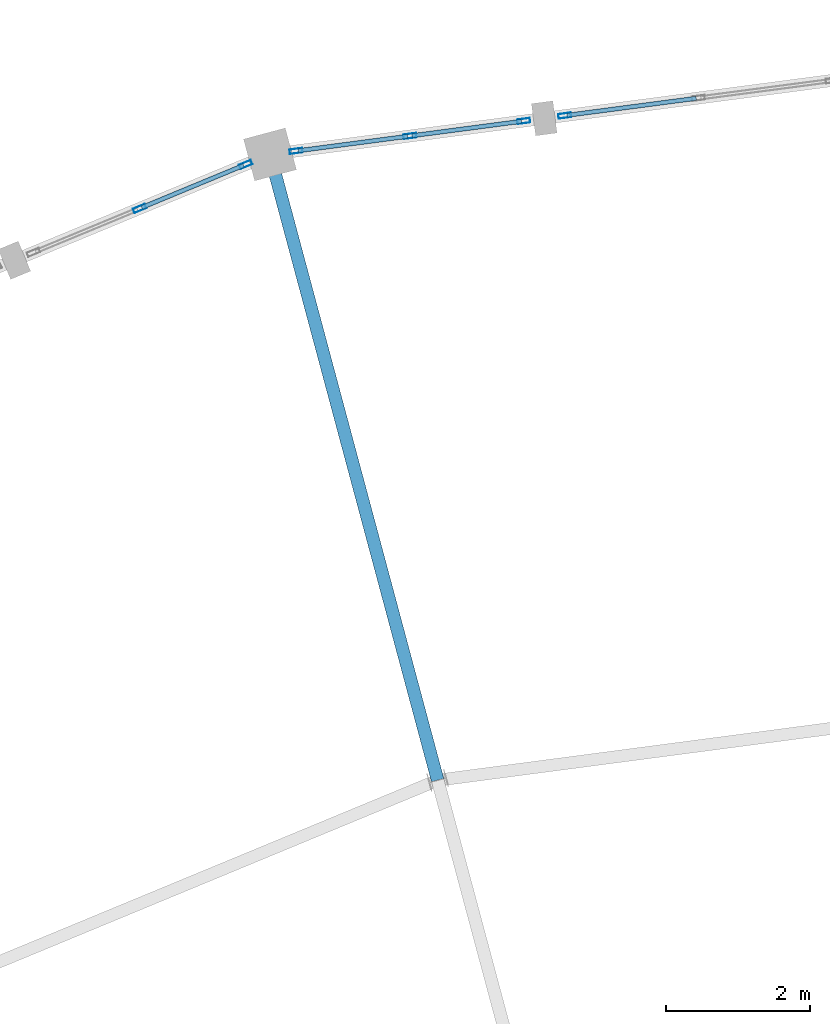
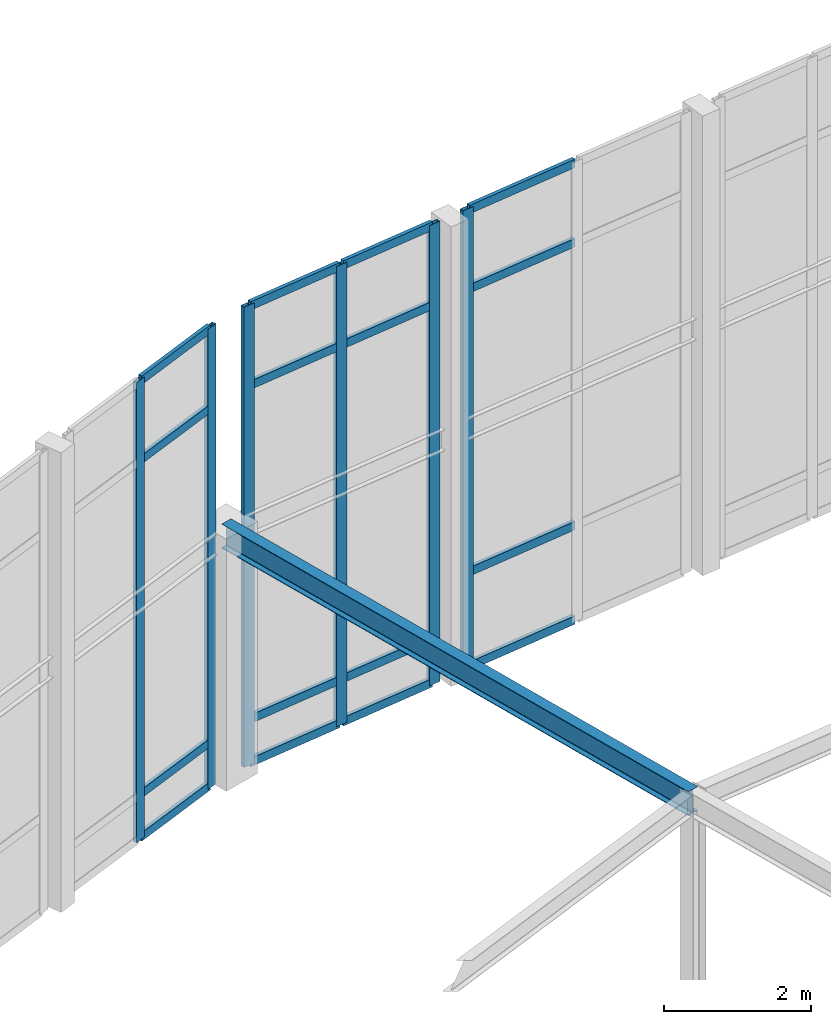
# One storey, part 48 of 93: 22 members, 1 beam, 3 elements without a shape of their own.
"""IFC4 building model written with IfcOpenShell, lengths in metres."""

from ifc_helpers import new_model, si_unit, direction, frame, origin, origin_2d, place, context, subcontext, project, spatial, hollow_rectangle, i_section, extrude, material, material_profile, profile_set, type_object, element, aggregate, save


model = new_model("IFC4")

# Units and contexts
model_context = context("Model", 3, precision=1e-05, world=origin(), true_north=direction((0.0, 1.0)))
body_context = subcontext(model_context, "Body", "Model", "MODEL_VIEW")
ifc_project = project(units=[si_unit("LENGTHUNIT", "METRE"), si_unit("AREAUNIT", "SQUARE_METRE"), si_unit("VOLUMEUNIT", "CUBIC_METRE"), si_unit("PLANEANGLEUNIT", "RADIAN"), si_unit("MASSUNIT", "GRAM", prefix="KILO")], contexts=[model_context])

# Site, building, storey
site_placement = place(None, origin())
site = spatial("IfcSite", under=ifc_project, at=site_placement, CompositionType="ELEMENT")
building_placement = place(site_placement, origin())
building = spatial("IfcBuilding", under=site, at=building_placement, Name="Vondelvale Polytechnic", CompositionType="ELEMENT")
storey_placement = place(building_placement, frame((0.0, 0.0, 18.0)))
storey = spatial("IfcBuildingStorey", under=building, at=storey_placement, Name="L04", CompositionType="ELEMENT", Elevation=18.0)

# Beam
ifc_material_1 = material(Name="Steel 300PLUS (fy = 300 MPa)", Category="steel")
ifc_material_profile_1 = material_profile(ifc_material_1, i_section(OverallWidth=0.177978515625, OverallDepth=0.403076171875, WebThickness=0.007568359375, FlangeThickness=0.010986328125, FilletRadius=0.011474609375, at=origin_2d()), Name="410UB53.7")
ifc_profile_set_1 = profile_set([ifc_material_profile_1], Name="Steel 300PLUS (fy = 300 MPa)")
beam_type = type_object("IfcBeamType", Name="BM-UB410L", PredefinedType="BEAM", material=ifc_profile_set_1)
beam_placement = place(storey_placement, frame((92.423583984375, 107.7392578125, 3.99853515625), z_axis=(-0.25881563226, 0.965926740751, 0.0), x_axis=(-0.965926740751, -0.25881563226, 0.0)))
element("IfcBeam", 1, at=beam_placement, inside=storey, type_object=beam_type, Name="L04 REG B-23", PredefinedType="BEAM", context=body_context, shape_type="SweptSolid", body=[
    extrude(i_section(OverallWidth=0.177978515625, OverallDepth=0.403076171875, WebThickness=0.007568359375, FlangeThickness=0.010986328125, FilletRadius=0.011474609375, at=origin_2d()), origin(), (0.0, 0.0, 1.0), 9.0),
])

# Curtain wall, member
ifc_material_2 = material(Name="Glulam GL18 structural Tasmanian oak (fb = 42 MPa)", Category="wood")
curtain_wall_type = type_object("IfcCurtainWallType", Name="CW-RING-OUTER", PredefinedType="NOTDEFINED", material=ifc_material_2)
curtain_wall_1_placement = place(storey_placement, origin())
curtain_wall_1 = element("IfcCurtainWall", 2, at=curtain_wall_1_placement, inside=storey, type_object=curtain_wall_type, Name="L04 architectural curtain wall CW-04-169", PredefinedType="NOTDEFINED")
ifc_material_3 = material(Name="Anodised extruded aluminium 6063-T6", Category="aluminium")
ifc_material_profile_2 = material_profile(ifc_material_3, hollow_rectangle(XDim=0.06494140625, YDim=0.179931640625, WallThickness=0.00390625, at=origin_2d()), Name="CW-MUL-180x65")
ifc_profile_set_2 = profile_set([ifc_material_profile_2], Name="Anodised extruded aluminium 6063-T6")
member_type_1 = type_object("IfcMemberType", Name="CW-MUL-65x180", PredefinedType="MULLION", material=ifc_profile_set_2)
member_1_placement = place(storey_placement, frame((94.189208984375, 116.9716796875, 0.0), z_axis=(0.0, 0.0, 1.0), x_axis=(0.130497251349, -0.991448671082, 0.0)))
member_1 = element("IfcMember", 3, at=member_1_placement, type_object=member_type_1, Name="CW-04-169 mullion 3", PredefinedType="MULLION", context=body_context, shape_type="SweptSolid", body=[
    extrude(hollow_rectangle(XDim=0.06494140625, YDim=0.179931640625, WallThickness=0.00390625, at=origin_2d()), origin(), (0.0, 0.0, 1.0), 7.661376953125),
])

# Curtain wall, members
curtain_wall_2_placement = place(storey_placement, origin())
curtain_wall_2 = element("IfcCurtainWall", 4, at=curtain_wall_2_placement, inside=storey, type_object=curtain_wall_type, Name="L04 architectural curtain wall CW-04-170", PredefinedType="NOTDEFINED")
member_2_placement = place(storey_placement, frame((93.619140625, 116.896728515625, 0.0), z_axis=(0.0, 0.0, 1.0), x_axis=(0.130539547729, -0.991443102996, 0.0)))
member_2 = element("IfcMember", 5, at=member_2_placement, type_object=member_type_1, Name="CW-04-170 mullion 1", PredefinedType="MULLION", context=body_context, shape_type="SweptSolid", body=[
    extrude(hollow_rectangle(XDim=0.06494140625, YDim=0.179931640625, WallThickness=0.00390625, at=origin_2d()), origin(), (0.0, 0.0, 1.0), 7.661376953125),
])
member_3_placement = place(storey_placement, frame((92.037841796875, 116.6884765625, 0.0), z_axis=(0.0, 0.0, 1.0), x_axis=(0.130539547729, -0.991443102996, 0.0)))
member_3 = element("IfcMember", 6, at=member_3_placement, type_object=member_type_1, Name="CW-04-170 mullion 2", PredefinedType="MULLION", context=body_context, shape_type="SweptSolid", body=[
    extrude(hollow_rectangle(XDim=0.06494140625, YDim=0.179931640625, WallThickness=0.00390625, at=origin_2d()), origin(), (0.0, 0.0, 1.0), 7.661376953125),
])
member_4_placement = place(storey_placement, frame((90.45654296875, 116.480224609375, 0.0), z_axis=(0.0, 0.0, 1.0), x_axis=(0.130539547729, -0.991443102996, 0.0)))
member_4 = element("IfcMember", 7, at=member_4_placement, type_object=member_type_1, Name="CW-04-170 mullion 3", PredefinedType="MULLION", context=body_context, shape_type="SweptSolid", body=[
    extrude(hollow_rectangle(XDim=0.06494140625, YDim=0.179931640625, WallThickness=0.00390625, at=origin_2d()), origin(), (0.0, 0.0, 1.0), 7.661376953125),
])

curtain_wall_3_placement = place(storey_placement, origin())
curtain_wall_3 = element("IfcCurtainWall", 8, at=curtain_wall_3_placement, inside=storey, type_object=curtain_wall_type, Name="L04 architectural curtain wall CW-04-188", PredefinedType="NOTDEFINED")
member_5_placement = place(storey_placement, frame((89.7568359375, 116.29296875, 0.0), z_axis=(0.0, 0.0, 1.0), x_axis=(0.382677394529, -0.923882033442, 0.0)))
member_5 = element("IfcMember", 9, at=member_5_placement, type_object=member_type_1, Name="CW-04-188 mullion 1", PredefinedType="MULLION", context=body_context, shape_type="SweptSolid", body=[
    extrude(hollow_rectangle(XDim=0.06494140625, YDim=0.179931640625, WallThickness=0.00390625, at=origin_2d()), origin(), (0.0, 0.0, 1.0), 7.661376953125),
])
member_6_placement = place(storey_placement, frame((88.283203125, 115.6826171875, 0.0), z_axis=(0.0, 0.0, 1.0), x_axis=(0.382677394529, -0.923882033442, 0.0)))
member_6 = element("IfcMember", 10, at=member_6_placement, type_object=member_type_1, Name="CW-04-188 mullion 2", PredefinedType="MULLION", context=body_context, shape_type="SweptSolid", body=[
    extrude(hollow_rectangle(XDim=0.06494140625, YDim=0.179931640625, WallThickness=0.00390625, at=origin_2d()), origin(), (0.0, 0.0, 1.0), 7.661376953125),
])

# Member
ifc_material_profile_3 = material_profile(ifc_material_3, hollow_rectangle(XDim=0.06005859375, YDim=0.139892578125, WallThickness=0.00341796875, at=origin_2d()), Name="CW-TRN-140x60")
ifc_profile_set_3 = profile_set([ifc_material_profile_3], Name="Anodised extruded aluminium 6063-T6")
member_type_2 = type_object("IfcMemberType", Name="CW-TRN-60x140", PredefinedType="USERDEFINED", material=ifc_profile_set_3)
member_7_placement = place(storey_placement, frame((96.014892578125, 117.212158203125, 0.030029296875), z_axis=(-0.991446943979, -0.130510372288, 0.0), x_axis=(0.130510372288, -0.991446943979, 0.0)))
member_7 = element("IfcMember", 11, at=member_7_placement, type_object=member_type_2, Name="CW-04-169 transom 2.1", ObjectType="TRANSOM", PredefinedType="USERDEFINED", context=body_context, shape_type="SweptSolid", body=[
    extrude(hollow_rectangle(XDim=0.06005859375, YDim=0.139892578125, WallThickness=0.00341796875, at=origin_2d()), origin(), (0.0, 0.0, 1.0), 1.808837890625),
])

member_8_placement = place(storey_placement, frame((96.014892578125, 117.212158203125, 1.60009765625), z_axis=(-0.991446943979, -0.130510372288, 0.0), x_axis=(0.130510372288, -0.991446943979, 0.0)))
member_8 = element("IfcMember", 12, at=member_8_placement, type_object=member_type_2, Name="CW-04-169 transom 2.2", ObjectType="TRANSOM", PredefinedType="USERDEFINED", context=body_context, shape_type="SweptSolid", body=[
    extrude(hollow_rectangle(XDim=0.06005859375, YDim=0.139892578125, WallThickness=0.00341796875, at=origin_2d()), origin(), (0.0, 0.0, 1.0), 1.808837890625),
])

member_9_placement = place(storey_placement, frame((96.014892578125, 117.212158203125, 6.311279296875), z_axis=(-0.991446943979, -0.130510372288, 0.0), x_axis=(0.130510372288, -0.991446943979, 0.0)))
member_9 = element("IfcMember", 13, at=member_9_placement, type_object=member_type_2, Name="CW-04-169 transom 2.3", ObjectType="TRANSOM", PredefinedType="USERDEFINED", context=body_context, shape_type="SweptSolid", body=[
    extrude(hollow_rectangle(XDim=0.06005859375, YDim=0.139892578125, WallThickness=0.00341796875, at=origin_2d()), origin(), (0.0, 0.0, 1.0), 1.808837890625),
])

member_10_placement = place(storey_placement, frame((96.014892578125, 117.212158203125, 7.63134765625), z_axis=(-0.991446943979, -0.130510372288, 0.0), x_axis=(0.130510372288, -0.991446943979, 0.0)))
member_10 = element("IfcMember", 14, at=member_10_placement, type_object=member_type_2, Name="CW-04-169 transom 2.4", ObjectType="TRANSOM", PredefinedType="USERDEFINED", context=body_context, shape_type="SweptSolid", body=[
    extrude(hollow_rectangle(XDim=0.06005859375, YDim=0.139892578125, WallThickness=0.00341796875, at=origin_2d()), origin(), (0.0, 0.0, 1.0), 1.808837890625),
])

aggregate(curtain_wall_1, [member_1, member_7, member_8, member_9, member_10])

member_11_placement = place(storey_placement, frame((93.5869140625, 116.892333984375, 0.030029296875), z_axis=(-0.991443972703, -0.130532942165, 0.0), x_axis=(0.130532942165, -0.991443972703, 0.0)))
member_11 = element("IfcMember", 15, at=member_11_placement, type_object=member_type_2, Name="CW-04-170 transom 1.1", ObjectType="TRANSOM", PredefinedType="USERDEFINED", context=body_context, shape_type="SweptSolid", body=[
    extrude(hollow_rectangle(XDim=0.06005859375, YDim=0.139892578125, WallThickness=0.00341796875, at=origin_2d()), origin(), (0.0, 0.0, 1.0), 1.530029296875),
])

member_12_placement = place(storey_placement, frame((93.5869140625, 116.892333984375, 0.75), z_axis=(-0.991443972703, -0.130532942165, 0.0), x_axis=(0.130532942165, -0.991443972703, 0.0)))
member_12 = element("IfcMember", 16, at=member_12_placement, type_object=member_type_2, Name="CW-04-170 transom 1.2", ObjectType="TRANSOM", PredefinedType="USERDEFINED", context=body_context, shape_type="SweptSolid", body=[
    extrude(hollow_rectangle(XDim=0.06005859375, YDim=0.139892578125, WallThickness=0.00341796875, at=origin_2d()), origin(), (0.0, 0.0, 1.0), 1.530029296875),
])

member_13_placement = place(storey_placement, frame((93.5869140625, 116.892333984375, 6.311279296875), z_axis=(-0.991443972703, -0.130532942165, 0.0), x_axis=(0.130532942165, -0.991443972703, 0.0)))
member_13 = element("IfcMember", 17, at=member_13_placement, type_object=member_type_2, Name="CW-04-170 transom 1.3", ObjectType="TRANSOM", PredefinedType="USERDEFINED", context=body_context, shape_type="SweptSolid", body=[
    extrude(hollow_rectangle(XDim=0.06005859375, YDim=0.139892578125, WallThickness=0.00341796875, at=origin_2d()), origin(), (0.0, 0.0, 1.0), 1.530029296875),
])

member_14_placement = place(storey_placement, frame((93.5869140625, 116.892333984375, 7.63134765625), z_axis=(-0.991443972703, -0.130532942165, 0.0), x_axis=(0.130532942165, -0.991443972703, 0.0)))
member_14 = element("IfcMember", 18, at=member_14_placement, type_object=member_type_2, Name="CW-04-170 transom 1.4", ObjectType="TRANSOM", PredefinedType="USERDEFINED", context=body_context, shape_type="SweptSolid", body=[
    extrude(hollow_rectangle(XDim=0.06005859375, YDim=0.139892578125, WallThickness=0.00341796875, at=origin_2d()), origin(), (0.0, 0.0, 1.0), 1.530029296875),
])

member_15_placement = place(storey_placement, frame((92.005615234375, 116.684326171875, 0.030029296875), z_axis=(-0.99142603388, -0.13066912162, 0.0), x_axis=(0.13066912162, -0.99142603388, 0.0)))
member_15 = element("IfcMember", 19, at=member_15_placement, type_object=member_type_2, Name="CW-04-170 transom 2.1", ObjectType="TRANSOM", PredefinedType="USERDEFINED", context=body_context, shape_type="SweptSolid", body=[
    extrude(hollow_rectangle(XDim=0.06005859375, YDim=0.139892578125, WallThickness=0.00341796875, at=origin_2d()), origin(), (0.0, 0.0, 1.0), 1.5302734375),
])

member_16_placement = place(storey_placement, frame((92.005615234375, 116.684326171875, 0.75), z_axis=(-0.99142603388, -0.13066912162, 0.0), x_axis=(0.13066912162, -0.99142603388, 0.0)))
member_16 = element("IfcMember", 20, at=member_16_placement, type_object=member_type_2, Name="CW-04-170 transom 2.2", ObjectType="TRANSOM", PredefinedType="USERDEFINED", context=body_context, shape_type="SweptSolid", body=[
    extrude(hollow_rectangle(XDim=0.06005859375, YDim=0.139892578125, WallThickness=0.00341796875, at=origin_2d()), origin(), (0.0, 0.0, 1.0), 1.5302734375),
])

member_17_placement = place(storey_placement, frame((92.005615234375, 116.684326171875, 6.311279296875), z_axis=(-0.99142603388, -0.13066912162, 0.0), x_axis=(0.13066912162, -0.99142603388, 0.0)))
member_17 = element("IfcMember", 21, at=member_17_placement, type_object=member_type_2, Name="CW-04-170 transom 2.3", ObjectType="TRANSOM", PredefinedType="USERDEFINED", context=body_context, shape_type="SweptSolid", body=[
    extrude(hollow_rectangle(XDim=0.06005859375, YDim=0.139892578125, WallThickness=0.00341796875, at=origin_2d()), origin(), (0.0, 0.0, 1.0), 1.5302734375),
])

member_18_placement = place(storey_placement, frame((92.005615234375, 116.684326171875, 7.63134765625), z_axis=(-0.99142603388, -0.13066912162, 0.0), x_axis=(0.13066912162, -0.99142603388, 0.0)))
member_18 = element("IfcMember", 22, at=member_18_placement, type_object=member_type_2, Name="CW-04-170 transom 2.4", ObjectType="TRANSOM", PredefinedType="USERDEFINED", context=body_context, shape_type="SweptSolid", body=[
    extrude(hollow_rectangle(XDim=0.06005859375, YDim=0.139892578125, WallThickness=0.00341796875, at=origin_2d()), origin(), (0.0, 0.0, 1.0), 1.5302734375),
])

aggregate(curtain_wall_2, [member_2, member_3, member_4, member_11, member_12, member_13, member_14, member_15, member_16, member_17, member_18])

member_19_placement = place(storey_placement, frame((89.726806640625, 116.280517578125, 0.030029296875), z_axis=(-0.923839843027, -0.382779237206, 0.0), x_axis=(0.382779237206, -0.923839843027, 0.0)))
member_19 = element("IfcMember", 23, at=member_19_placement, type_object=member_type_2, Name="CW-04-188 transom 1.1", ObjectType="TRANSOM", PredefinedType="USERDEFINED", context=body_context, shape_type="SweptSolid", body=[
    extrude(hollow_rectangle(XDim=0.06005859375, YDim=0.139892578125, WallThickness=0.00341796875, at=origin_2d()), origin(), (0.0, 0.0, 1.0), 1.530029296875),
])

member_20_placement = place(storey_placement, frame((89.726806640625, 116.280517578125, 0.75), z_axis=(-0.923839843027, -0.382779237206, 0.0), x_axis=(0.382779237206, -0.923839843027, 0.0)))
member_20 = element("IfcMember", 24, at=member_20_placement, type_object=member_type_2, Name="CW-04-188 transom 1.2", ObjectType="TRANSOM", PredefinedType="USERDEFINED", context=body_context, shape_type="SweptSolid", body=[
    extrude(hollow_rectangle(XDim=0.06005859375, YDim=0.139892578125, WallThickness=0.00341796875, at=origin_2d()), origin(), (0.0, 0.0, 1.0), 1.530029296875),
])

member_21_placement = place(storey_placement, frame((89.726806640625, 116.280517578125, 6.311279296875), z_axis=(-0.923839843027, -0.382779237206, 0.0), x_axis=(0.382779237206, -0.923839843027, 0.0)))
member_21 = element("IfcMember", 25, at=member_21_placement, type_object=member_type_2, Name="CW-04-188 transom 1.3", ObjectType="TRANSOM", PredefinedType="USERDEFINED", context=body_context, shape_type="SweptSolid", body=[
    extrude(hollow_rectangle(XDim=0.06005859375, YDim=0.139892578125, WallThickness=0.00341796875, at=origin_2d()), origin(), (0.0, 0.0, 1.0), 1.530029296875),
])

member_22_placement = place(storey_placement, frame((89.726806640625, 116.280517578125, 7.63134765625), z_axis=(-0.923839843027, -0.382779237206, 0.0), x_axis=(0.382779237206, -0.923839843027, 0.0)))
member_22 = element("IfcMember", 26, at=member_22_placement, type_object=member_type_2, Name="CW-04-188 transom 1.4", ObjectType="TRANSOM", PredefinedType="USERDEFINED", context=body_context, shape_type="SweptSolid", body=[
    extrude(hollow_rectangle(XDim=0.06005859375, YDim=0.139892578125, WallThickness=0.00341796875, at=origin_2d()), origin(), (0.0, 0.0, 1.0), 1.530029296875),
])

aggregate(curtain_wall_3, [member_5, member_6, member_19, member_20, member_21, member_22])

save(model, "model.ifc")
